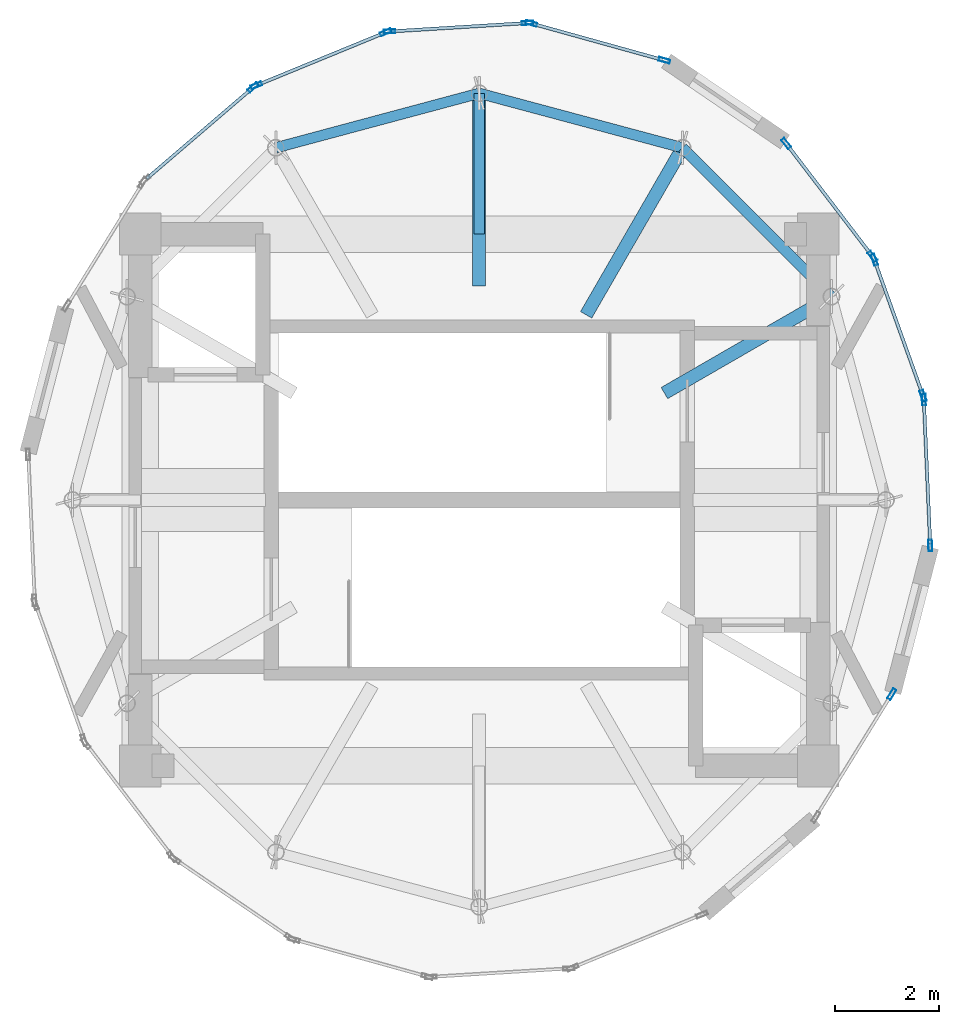
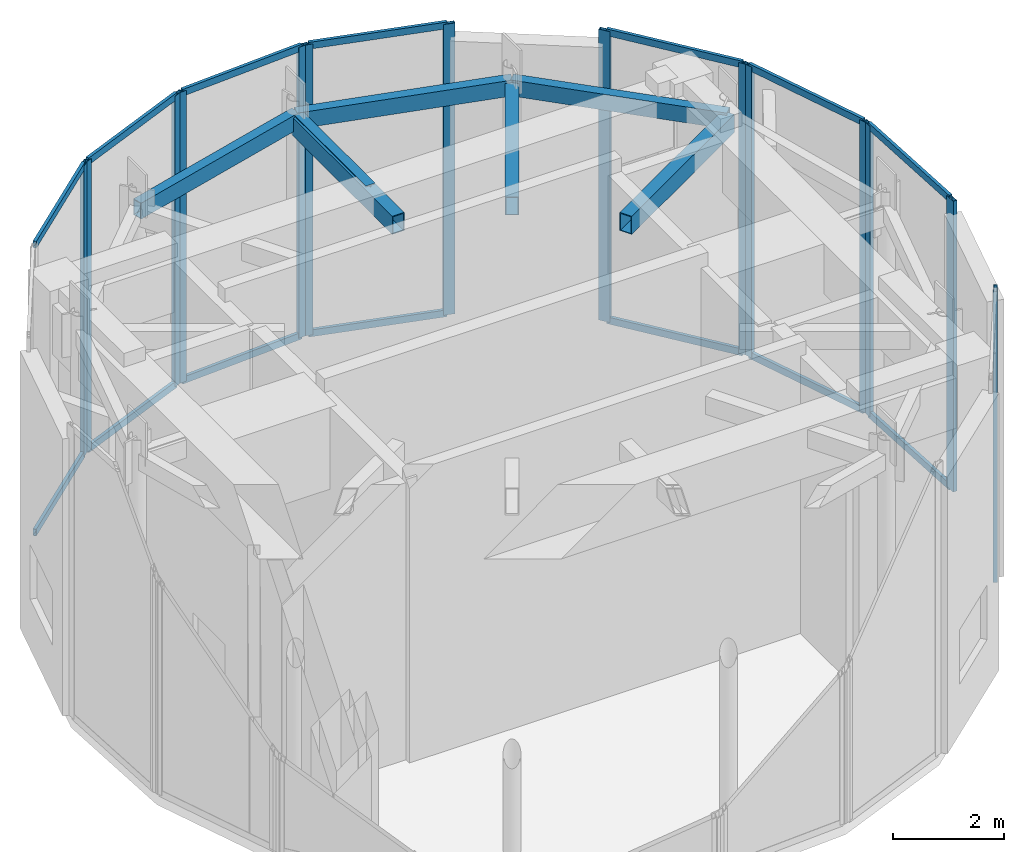
# One storey, part 4 of 7: 31 members, 4 beams, 8 elements without a shape of their own.
"""IFC4 building model written with IfcOpenShell, lengths in metres."""

import ifcopenshell
import ifcopenshell.guid

model = None  # the IFC model being written
_history = None  # IfcOwnerHistory: only IFC2X3 demands one
_inside = {}  # id of a spatial element -> (the spatial element, [elements in it])
_under = {}  # id of a project, library or spatial element -> (it, [spatial elements below it])
_declared = {}  # id of a project -> (the project, [libraries it declares])
_typed = {}  # id of a type object -> (the type object, [elements of that type])
_made_of = {}  # id of a material, layer set ... -> (it, [elements and type objects made of it])


def new_model(schema):
    """Start an empty IFC model of exactly this schema.

    Asked for "IFC4X3", IfcOpenShell would pick the latest addendum, in which some entities
    have other attributes; the version numbers below select the first issue.
    IFC2X3 requires an IfcOwnerHistory on every rooted entity: one is made here for all.
    """
    global model, _history
    if schema == "IFC4X3":
        model = ifcopenshell.file(schema_version=(4, 3, 0, 0))
    else:
        model = ifcopenshell.file(schema=schema)
    _inside.clear()
    _under.clear()
    _declared.clear()
    _typed.clear()
    _made_of.clear()
    _history = None
    if model.schema == "IFC2X3":
        org = make("IfcOrganization", Name="unknown")
        user = make(
            "IfcPersonAndOrganization",
            ThePerson=make("IfcPerson", FamilyName="unknown"),
            TheOrganization=org,
        )
        app = make(
            "IfcApplication",
            ApplicationDeveloper=org,
            Version="unknown",
            ApplicationFullName="unknown",
            ApplicationIdentifier="unknown",
        )
        _history = make(
            "IfcOwnerHistory",
            OwningUser=user,
            OwningApplication=app,
            ChangeAction="ADDED",
            CreationDate=0,
        )
    return model


def make(cls, **values):
    """One entity of the class cls with the attributes given. An attribute that is None is left unset."""
    return model.create_entity(
        cls, **{name: value for name, value in values.items() if value is not None}
    )


def rooted(cls, **values):
    """An entity with a GlobalId (a new one), such as an element, a storey or a relation."""
    return make(cls, GlobalId=ifcopenshell.guid.new(), OwnerHistory=_history, **values)


def si_unit(unit_type, name, prefix=None):
    """IfcSIUnit, for example si_unit("LENGTHUNIT", "METRE", prefix="MILLI")."""
    return make("IfcSIUnit", UnitType=unit_type, Prefix=prefix, Name=name)


def assignment(units):
    """IfcUnitAssignment: the units of a project."""
    return None if units is None else make("IfcUnitAssignment", Units=units)


def point(xyz):
    """IfcCartesianPoint."""
    return None if xyz is None else make("IfcCartesianPoint", Coordinates=xyz)


def direction(xyz):
    """IfcDirection."""
    return None if xyz is None else make("IfcDirection", DirectionRatios=xyz)


def frame(location, z_axis=None, x_axis=None):
    """IfcAxis2Placement3D, a coordinate frame: its origin and axes. An axis left out is left unset."""
    return make(
        "IfcAxis2Placement3D",
        Location=point(location),
        Axis=direction(z_axis),
        RefDirection=direction(x_axis),
    )


def frame_2d(location, x_axis=None):
    """IfcAxis2Placement2D, a coordinate frame in the plane: its origin and x axis."""
    return make(
        "IfcAxis2Placement2D", Location=point(location), RefDirection=direction(x_axis)
    )


def origin():
    """The frame at (0, 0, 0) with its axes left unset."""
    return frame((0.0, 0.0, 0.0))


def origin_2d():
    """The frame at (0, 0) in the plane with its x axis left unset."""
    return frame_2d((0.0, 0.0))


def place(relative_to, where):
    """IfcLocalPlacement: puts the frame where relative to a parent placement (None: the world)."""
    return make(
        "IfcLocalPlacement", PlacementRelTo=relative_to, RelativePlacement=where
    )


def context(
    kind, dimensions, precision=None, world=None, true_north=None, identifier=None
):
    """IfcGeometricRepresentationContext, for example the 3D "Model" context."""
    return make(
        "IfcGeometricRepresentationContext",
        ContextIdentifier=identifier,
        ContextType=kind,
        CoordinateSpaceDimension=dimensions,
        Precision=precision,
        WorldCoordinateSystem=world,
        TrueNorth=true_north,
    )


def subcontext(parent, identifier, kind, view, scale=None):
    """IfcGeometricRepresentationSubContext, for example "Body" below "Model"."""
    return make(
        "IfcGeometricRepresentationSubContext",
        ContextIdentifier=identifier,
        ContextType=kind,
        ParentContext=parent,
        TargetScale=scale,
        TargetView=view,
    )


def project(units=None, contexts=None):
    """IfcProject with its units and contexts."""
    return rooted(
        "IfcProject",
        Name="project",
        RepresentationContexts=contexts,
        UnitsInContext=assignment(units),
    )


def spatial(cls, under=None, at=None, **own):
    """A site, building, storey or space (cls), placed at a placement, below another one or the project."""
    s = rooted(cls, ObjectPlacement=at, **own)
    if under is not None:
        _under.setdefault(under.id(), (under, []))[1].append(s)
    return s


def profile(cls, at=None, kind="AREA", **sizes):
    """A parametric profile (cls). Its sizes go by their IFC names, for example OverallWidth=200.0."""
    return make(cls, ProfileType=kind, Position=at, **sizes)


def hollow_rectangle(**sizes):
    """IfcRectangleHollowProfileDef."""
    return profile("IfcRectangleHollowProfileDef", **sizes)


def i_section(**sizes):
    """IfcIShapeProfileDef."""
    return profile("IfcIShapeProfileDef", **sizes)


def extrude(swept, where, along, depth):
    """IfcExtrudedAreaSolid: the profile swept, set in the frame where, extruded along a direction by depth."""
    return make(
        "IfcExtrudedAreaSolid",
        SweptArea=swept,
        Position=where,
        ExtrudedDirection=direction(along),
        Depth=depth,
    )


def shape(context_of_items, identifier, shape_type, items):
    """IfcShapeRepresentation: the items that make up one representation, for example the "Body"."""
    return make(
        "IfcShapeRepresentation",
        ContextOfItems=context_of_items,
        RepresentationIdentifier=identifier,
        RepresentationType=shape_type,
        Items=items,
    )


def source(mapping_origin, context_of_items, identifier, shape_type, items):
    """IfcRepresentationMap: a shape defined once, which mapped items show again and again."""
    return make(
        "IfcRepresentationMap",
        MappingOrigin=mapping_origin,
        MappedRepresentation=shape(context_of_items, identifier, shape_type, items),
    )


def transform(
    local_origin,
    x_axis=None,
    y_axis=None,
    z_axis=None,
    scale=None,
    scale2=None,
    scale3=None,
    uniform=True,
):
    """IfcCartesianTransformationOperator3D, or its non-uniform kind. x_axis, y_axis, z_axis: its Axis1, 2, 3."""
    if uniform:
        return make(
            "IfcCartesianTransformationOperator3D",
            Axis1=direction(x_axis),
            Axis2=direction(y_axis),
            LocalOrigin=point(local_origin),
            Scale=scale,
            Axis3=direction(z_axis),
        )
    return make(
        "IfcCartesianTransformationOperator3DnonUniform",
        Axis1=direction(x_axis),
        Axis2=direction(y_axis),
        LocalOrigin=point(local_origin),
        Scale=scale,
        Axis3=direction(z_axis),
        Scale2=scale2,
        Scale3=scale3,
    )


def mapped(mapping_source, mapping_target):
    """IfcMappedItem: shows the shape of a source again, moved by a transform."""
    return make(
        "IfcMappedItem", MappingSource=mapping_source, MappingTarget=mapping_target
    )


def material(Name=None, Category=None):
    """IfcMaterial."""
    return make("IfcMaterial", Name=Name, Category=Category)


def layer(
    of_material, thickness, ventilated=None, Name=None, Category=None, Priority=None
):
    """IfcMaterialLayer: one layer of a wall or slab, of a material (None: an air gap)."""
    return make(
        "IfcMaterialLayer",
        Material=of_material,
        LayerThickness=thickness,
        IsVentilated=ventilated,
        Name=Name,
        Category=Category,
        Priority=Priority,
    )


def layer_set(layers, Name=None):
    """IfcMaterialLayerSet."""
    return make("IfcMaterialLayerSet", MaterialLayers=layers, LayerSetName=Name)


def material_profile(
    of_material, cross_section, Name=None, Category=None, Priority=None
):
    """IfcMaterialProfile: a cross section and its material."""
    return make(
        "IfcMaterialProfile",
        Name=Name,
        Material=of_material,
        Profile=cross_section,
        Priority=Priority,
        Category=Category,
    )


def profile_set(profiles, Name=None, composite=None):
    """IfcMaterialProfileSet."""
    return make(
        "IfcMaterialProfileSet",
        Name=Name,
        MaterialProfiles=profiles,
        CompositeProfile=composite,
    )


def made_of(thing, what):
    """Note that an element or type object is made of a material, layer set ...; save() writes the relation."""
    if what is not None:
        _made_of.setdefault(what.id(), (what, []))[1].append(thing)
    return thing


def type_object(cls, material=None, **own):
    """A type object (cls), such as IfcWallType, which elements share."""
    return made_of(rooted(cls, **own), material)


def element(
    cls,
    number,
    at=None,
    inside=None,
    cuts=None,
    type_object=None,
    material=None,
    context=None,
    identifier="Body",
    shape_type=None,
    held_by="IfcProductDefinitionShape",
    body=None,
    shapes=None,
    **own,
):
    """One element of the class cls, such as IfcWall. Its Tag is "e" and its number.

    at: its placement. inside: the storey or other place that contains it. cuts: it is an
    opening in that element (IfcRelVoidsElement). A single representation is given by context,
    identifier, shape_type and body (its items); several are given by shapes. held_by: the class
    of the entity that holds the representations. save() writes the other relations.
    """
    e = rooted(cls, Tag="e%d" % number, ObjectPlacement=at, **own)
    if body is not None:
        shapes = [shape(context, identifier, shape_type, body)]
    if shapes is not None:
        e.Representation = make(held_by, Representations=shapes)
    if inside is not None:
        _inside.setdefault(inside.id(), (inside, []))[1].append(e)
    if cuts is not None:
        rooted(
            "IfcRelVoidsElement", RelatingBuildingElement=cuts, RelatedOpeningElement=e
        )
    if type_object is not None:
        _typed.setdefault(type_object.id(), (type_object, []))[1].append(e)
    return made_of(e, material)


def aggregate(whole, parts):
    """IfcRelAggregates: a whole, such as a stair, and the parts it consists of."""
    return rooted("IfcRelAggregates", RelatingObject=whole, RelatedObjects=parts)


def save(model, path):
    """Write the relations noted so far, then the file.

    IfcRelAggregates (storeys below a building ...), IfcRelContainedInSpatialStructure (elements
    in a storey), IfcRelDefinesByType, IfcRelAssociatesMaterial and IfcRelDeclares: one each for
    every whole, place, type object, material and project.
    """
    for whole, parts in _under.values():
        aggregate(whole, parts)
    for where, things in _inside.values():
        rooted(
            "IfcRelContainedInSpatialStructure",
            RelatedElements=things,
            RelatingStructure=where,
        )
    for kind, things in _typed.values():
        rooted("IfcRelDefinesByType", RelatedObjects=things, RelatingType=kind)
    for what, things in _made_of.values():
        rooted("IfcRelAssociatesMaterial", RelatedObjects=things, RelatingMaterial=what)
    for by, libraries in _declared.values():
        rooted("IfcRelDeclares", RelatingContext=by, RelatedDefinitions=libraries)
    model.write(path)


model = new_model("IFC4")

# Units and contexts
model_context = context("Model", 3, precision=1e-05, world=origin(), true_north=direction((0.0, 1.0)))
body_context = subcontext(model_context, "Body", "Model", "MODEL_VIEW")
ifc_project = project(units=[si_unit("LENGTHUNIT", "METRE"), si_unit("AREAUNIT", "SQUARE_METRE"), si_unit("VOLUMEUNIT", "CUBIC_METRE"), si_unit("PLANEANGLEUNIT", "RADIAN"), si_unit("MASSUNIT", "GRAM", prefix="KILO")], contexts=[model_context])

# Site, building, storey
site_placement = place(None, origin())
site = spatial("IfcSite", under=ifc_project, at=site_placement, CompositionType="ELEMENT")
building_placement = place(site_placement, origin())
building = spatial("IfcBuilding", under=site, at=building_placement, Name="Solvirekh Grand Hotel", CompositionType="ELEMENT")
storey_placement = place(building_placement, frame((0.0, 0.0, 333.800048828125)))
storey = spatial("IfcBuildingStorey", under=building, at=storey_placement, Name="L83", CompositionType="ELEMENT", Elevation=333.800048828125)

# Beam
ifc_material_1 = material(Name="Steel S355", Category="steel")
ifc_material_profile_1 = material_profile(ifc_material_1, i_section(OverallWidth=0.194091796875, OverallDepth=0.468994140625, WebThickness=0.010986328125, FlangeThickness=0.01904296875, FilletRadius=0.012939453125, at=origin_2d()), Name="W460X106")
ifc_profile_set_1 = profile_set([ifc_material_profile_1], Name="Steel S355")
beam_type_1 = type_object("IfcBeamType", Name="Beam_Radial_W460H", PredefinedType="BEAM", material=ifc_profile_set_1)
beam_placement = place(storey_placement, frame((0.0, 5.10009765625, 5.864990234375), z_axis=(0.0, 1.0, 0.0), x_axis=(-1.0, 0.0, 0.0)))
element("IfcBeam", 1, at=beam_placement, inside=storey, type_object=beam_type_1, Name="L83 radial floor beam R04", PredefinedType="BEAM", context=body_context, shape_type="SweptSolid", body=[
    extrude(i_section(OverallWidth=0.194091796875, OverallDepth=0.468994140625, WebThickness=0.010986328125, FlangeThickness=0.01904296875, FilletRadius=0.012939453125, at=origin_2d()), origin(), (0.0, 0.0, 1.0), 2.699951171875),
])

# Members
ifc_material_profile_2 = material_profile(ifc_material_1, hollow_rectangle(XDim=0.25, YDim=0.39990234375, WallThickness=0.01611328125, at=origin_2d()), Name="RHS 400X250X16")
ifc_profile_set_2 = profile_set([ifc_material_profile_2], Name="Steel S355")
member_type_1 = type_object("IfcMemberType", Name="Rafter_Crown_RHS400", PredefinedType="RAFTER", material=ifc_profile_set_2)
for number, where, z_axis, x_axis, name in (
    (2, (6.7548828125, 3.89990234375, 5.849853515625), (-0.86601304703, -0.500021401916, 0.0), (0.500021401916, -0.86601304703, 0.0), "Crown collar rafter 2"),
    (3, (3.89990234375, 6.7548828125, 5.849853515625), (-0.500021401916, -0.86601304703, 0.0), (0.86601304703, -0.500021401916, 0.0), "Crown collar rafter 3"),
):
    element("IfcMember", number, at=place(storey_placement, frame(where, z_axis=z_axis, x_axis=x_axis)), inside=storey, type_object=member_type_1, Name=name, PredefinedType="RAFTER", context=body_context, shape_type="SweptSolid", body=[
        extrude(hollow_rectangle(XDim=0.25, YDim=0.39990234375, WallThickness=0.01611328125, at=origin_2d()), origin(), (0.0, 0.0, 1.0), 3.699462890625),
    ])
member_1_placement = place(storey_placement, frame((0.0, 7.800048828125, 5.849853515625), z_axis=(0.0, -1.0, 0.0), x_axis=(1.0, 0.0, 0.0)))
element("IfcMember", 4, at=member_1_placement, inside=storey, type_object=member_type_1, Name="Crown collar rafter 4", PredefinedType="RAFTER", context=body_context, shape_type="SweptSolid", body=[
    extrude(hollow_rectangle(XDim=0.25, YDim=0.39990234375, WallThickness=0.01611328125, at=origin_2d()), origin(), (0.0, 0.0, 1.0), 3.699951171875),
])

# Beams
ifc_material_profile_3 = material_profile(ifc_material_1, hollow_rectangle(XDim=0.199951171875, YDim=0.35009765625, WallThickness=0.013916015625, at=origin_2d()), Name="RHS 350X200X14")
ifc_profile_set_3 = profile_set([ifc_material_profile_3], Name="Steel S355")
beam_type_2 = type_object("IfcBeamType", Name="Spandrel_Crown_RHS350", PredefinedType="SPANDREL", material=ifc_profile_set_3)
for number, where, z_axis, x_axis, name in (
    (5, (6.7548828125, 3.89990234375, 5.925048828125), (-0.707106781187, 0.707106781187, 0.0), (-0.707106781187, -0.707106781187, 0.0), "L83 perimeter spandrel beam 2"),
    (6, (3.89990234375, 6.7548828125, 5.925048828125), (-0.965914040095, 0.258863027773, 0.0), (-0.258863027773, -0.965914040095, 0.0), "L83 perimeter spandrel beam 3"),
    (7, (0.0, 7.800048828125, 5.925048828125), (-0.965914040095, -0.258863027773, 0.0), (0.258863027773, -0.965914040095, 0.0), "L83 perimeter spandrel beam 4"),
):
    element("IfcBeam", number, at=place(storey_placement, frame(where, z_axis=z_axis, x_axis=x_axis)), inside=storey, type_object=beam_type_2, Name=name, PredefinedType="SPANDREL", context=body_context, shape_type="SweptSolid", body=[
        extrude(hollow_rectangle(XDim=0.199951171875, YDim=0.35009765625, WallThickness=0.013916015625, at=origin_2d()), origin(), (0.0, 0.0, 1.0), 4.03759765625),
    ])

# Curtain wall, member
ifc_material_2 = material(Name="Anodized Bronze Aluminium 6063-T6", Category="aluminium")
ifc_layer = layer(ifc_material_2, 0.219970703125)
ifc_layer_set = layer_set([ifc_layer], Name="Anodized Bronze Aluminium 6063-T6")
curtain_wall_type = type_object("IfcCurtainWallType", Name="CW_Sys6_CrownFacetedPointCW", PredefinedType="NOTDEFINED", material=ifc_layer_set)
curtain_wall_1_placement = place(storey_placement, origin())
curtain_wall_1 = element("IfcCurtainWall", 8, at=curtain_wall_1_placement, inside=storey, type_object=curtain_wall_type, Name="L83 unitised bronze-glass curtain wall CW-L83-C04", PredefinedType="NOTDEFINED")
ifc_material_profile_4 = material_profile(ifc_material_2, hollow_rectangle(XDim=0.074951171875, YDim=0.219970703125, WallThickness=0.006103515625, at=origin_2d()), Name="ALU RHS 220X75X6")
ifc_profile_set_4 = profile_set([ifc_material_profile_4], Name="Anodized Bronze Aluminium 6063-T6")
member_type_2 = type_object("IfcMemberType", Name="CWMullion_Sys6", PredefinedType="MULLION", material=ifc_profile_set_4)
shared_shape_1 = source(origin(), body_context, "Body", "SweptSolid", [
    extrude(hollow_rectangle(XDim=0.074951171875, YDim=0.219970703125, WallThickness=0.006103515625, at=origin_2d()), origin(), (0.0, 0.0, 1.0), 6.39990234375),
])
member_2_placement = place(storey_placement, frame((7.912353515625, -3.723876953125, 0.0), z_axis=(0.0, 0.0, 1.0), x_axis=(-0.850631696106, 0.525762035125, 0.0)))
member_2 = element("IfcMember", 9, at=member_2_placement, type_object=member_type_2, Name="U06 mullion 2", PredefinedType="MULLION", context=body_context, shape_type="MappedRepresentation", body=[
    mapped(shared_shape_1, transform((0.0, 0.0, 0.0), x_axis=(1.0, 0.0, 0.0), y_axis=(0.0, 1.0, 0.0), z_axis=(0.0, 0.0, 1.0), scale=1.0)),
])
aggregate(curtain_wall_1, [member_2])

# Curtain wall, members
curtain_wall_2_placement = place(storey_placement, origin())
curtain_wall_2 = element("IfcCurtainWall", 10, at=curtain_wall_2_placement, inside=storey, type_object=curtain_wall_type, Name="L83 unitised bronze-glass curtain wall CW-L83-C06", PredefinedType="NOTDEFINED")
member_3_placement = place(storey_placement, frame((8.650390625, -0.87158203125, 0.0), z_axis=(0.0, 0.0, 1.0), x_axis=(-0.999038348092, -0.04384494318, 0.0)))
member_3 = element("IfcMember", 11, at=member_3_placement, type_object=member_type_2, Name="U06 mullion 1", PredefinedType="MULLION", context=body_context, shape_type="MappedRepresentation", body=[
    mapped(shared_shape_1, transform((0.0, 0.0, 0.0), x_axis=(1.0, 0.0, 0.0), y_axis=(0.0, 1.0, 0.0), z_axis=(0.0, 0.0, 1.0), scale=1.0)),
])
member_4_placement = place(storey_placement, frame((8.527587890625, 1.924560546875, 0.0), z_axis=(0.0, 0.0, 1.0), x_axis=(-0.999038348092, -0.04384494318, 0.0)))
member_4 = element("IfcMember", 12, at=member_4_placement, type_object=member_type_2, Name="U06 mullion 2", PredefinedType="MULLION", context=body_context, shape_type="MappedRepresentation", body=[
    mapped(shared_shape_1, transform((0.0, 0.0, 0.0), x_axis=(1.0, 0.0, 0.0), y_axis=(0.0, 1.0, 0.0), z_axis=(0.0, 0.0, 1.0), scale=1.0)),
])

curtain_wall_3_placement = place(storey_placement, origin())
curtain_wall_3 = element("IfcCurtainWall", 13, at=curtain_wall_3_placement, inside=storey, type_object=curtain_wall_type, Name="L83 unitised bronze-glass curtain wall CW-L83-C07", PredefinedType="NOTDEFINED")
member_5_placement = place(storey_placement, frame((8.513427734375, 1.997314453125, 0.0), z_axis=(0.0, 0.0, 1.0), x_axis=(-0.941312033475, -0.33753763588, 0.0)))
member_5 = element("IfcMember", 14, at=member_5_placement, type_object=member_type_2, Name="U06 mullion 1", PredefinedType="MULLION", context=body_context, shape_type="MappedRepresentation", body=[
    mapped(shared_shape_1, transform((0.0, 0.0, 0.0), x_axis=(1.0, 0.0, 0.0), y_axis=(0.0, 1.0, 0.0), z_axis=(0.0, 0.0, 1.0), scale=1.0)),
])
member_6_placement = place(storey_placement, frame((7.57763671875, 4.606689453125, 0.0), z_axis=(0.0, 0.0, 1.0), x_axis=(-0.941312033475, -0.33753763588, 0.0)))
member_6 = element("IfcMember", 15, at=member_6_placement, type_object=member_type_2, Name="U06 mullion 2", PredefinedType="MULLION", context=body_context, shape_type="MappedRepresentation", body=[
    mapped(shared_shape_1, transform((0.0, 0.0, 0.0), x_axis=(1.0, 0.0, 0.0), y_axis=(0.0, 1.0, 0.0), z_axis=(0.0, 0.0, 1.0), scale=1.0)),
])

curtain_wall_4_placement = place(storey_placement, origin())
curtain_wall_4 = element("IfcCurtainWall", 16, at=curtain_wall_4_placement, inside=storey, type_object=curtain_wall_type, Name="L83 unitised bronze-glass curtain wall CW-L83-C08", PredefinedType="NOTDEFINED")
member_7_placement = place(storey_placement, frame((7.542236328125, 4.671875, 0.0), z_axis=(0.0, 0.0, 1.0), x_axis=(-0.794570551349, -0.607171836409, 0.0)))
member_7 = element("IfcMember", 17, at=member_7_placement, type_object=member_type_2, Name="U06 mullion 1", PredefinedType="MULLION", context=body_context, shape_type="MappedRepresentation", body=[
    mapped(shared_shape_1, transform((0.0, 0.0, 0.0), x_axis=(1.0, 0.0, 0.0), y_axis=(0.0, 1.0, 0.0), z_axis=(0.0, 0.0, 1.0), scale=1.0)),
])
member_8_placement = place(storey_placement, frame((5.88671875, 6.838134765625, 0.0), z_axis=(0.0, 0.0, 1.0), x_axis=(-0.794570551349, -0.607171836409, 0.0)))
member_8 = element("IfcMember", 18, at=member_8_placement, type_object=member_type_2, Name="U06 mullion 2", PredefinedType="MULLION", context=body_context, shape_type="MappedRepresentation", body=[
    mapped(shared_shape_1, transform((0.0, 0.0, 0.0), x_axis=(1.0, 0.0, 0.0), y_axis=(0.0, 1.0, 0.0), z_axis=(0.0, 0.0, 1.0), scale=1.0)),
])

curtain_wall_5_placement = place(storey_placement, origin())
curtain_wall_5 = element("IfcCurtainWall", 19, at=curtain_wall_5_placement, inside=storey, type_object=curtain_wall_type, Name="L83 unitised bronze-glass curtain wall CW-L83-C10", PredefinedType="NOTDEFINED")
member_9_placement = place(storey_placement, frame((3.5517578125, 8.43115234375, 0.0), z_axis=(0.0, 0.0, 1.0), x_axis=(-0.267492462158, -0.963559952825, 0.0)))
member_9 = element("IfcMember", 20, at=member_9_placement, type_object=member_type_2, Name="U06 mullion 1", PredefinedType="MULLION", context=body_context, shape_type="MappedRepresentation", body=[
    mapped(shared_shape_1, transform((0.0, 0.0, 0.0), x_axis=(1.0, 0.0, 0.0), y_axis=(0.0, 1.0, 0.0), z_axis=(0.0, 0.0, 1.0), scale=1.0)),
])
member_10_placement = place(storey_placement, frame((0.998046875, 9.139892578125, 0.0), z_axis=(0.0, 0.0, 1.0), x_axis=(-0.267492462158, -0.963559952825, 0.0)))
member_10 = element("IfcMember", 21, at=member_10_placement, type_object=member_type_2, Name="U06 mullion 2", PredefinedType="MULLION", context=body_context, shape_type="MappedRepresentation", body=[
    mapped(shared_shape_1, transform((0.0, 0.0, 0.0), x_axis=(1.0, 0.0, 0.0), y_axis=(0.0, 1.0, 0.0), z_axis=(0.0, 0.0, 1.0), scale=1.0)),
])

curtain_wall_6_placement = place(storey_placement, origin())
curtain_wall_6 = element("IfcCurtainWall", 22, at=curtain_wall_6_placement, inside=storey, type_object=curtain_wall_type, Name="L83 unitised bronze-glass curtain wall CW-L83-C11", PredefinedType="NOTDEFINED")
member_11_placement = place(storey_placement, frame((0.924560546875, 9.147705078125, 0.0), z_axis=(0.0, 0.0, 1.0), x_axis=(0.061259226607, -0.998121889929, 0.0)))
member_11 = element("IfcMember", 23, at=member_11_placement, type_object=member_type_2, Name="U06 mullion 1", PredefinedType="MULLION", context=body_context, shape_type="MappedRepresentation", body=[
    mapped(shared_shape_1, transform((0.0, 0.0, 0.0), x_axis=(1.0, 0.0, 0.0), y_axis=(0.0, 1.0, 0.0), z_axis=(0.0, 0.0, 1.0), scale=1.0)),
])
member_12_placement = place(storey_placement, frame((-1.7216796875, 8.9853515625, 0.0), z_axis=(0.0, 0.0, 1.0), x_axis=(0.061259226607, -0.998121889929, 0.0)))
member_12 = element("IfcMember", 24, at=member_12_placement, type_object=member_type_2, Name="U06 mullion 2", PredefinedType="MULLION", context=body_context, shape_type="MappedRepresentation", body=[
    mapped(shared_shape_1, transform((0.0, 0.0, 0.0), x_axis=(1.0, 0.0, 0.0), y_axis=(0.0, 1.0, 0.0), z_axis=(0.0, 0.0, 1.0), scale=1.0)),
])

curtain_wall_7_placement = place(storey_placement, origin())
curtain_wall_7 = element("IfcCurtainWall", 25, at=curtain_wall_7_placement, inside=storey, type_object=curtain_wall_type, Name="L83 unitised bronze-glass curtain wall CW-L83-C12", PredefinedType="NOTDEFINED")
member_13_placement = place(storey_placement, frame((-1.793701171875, 8.96875, 0.0), z_axis=(0.0, 0.0, 1.0), x_axis=(0.379636009824, -0.925135935982, 0.0)))
member_13 = element("IfcMember", 26, at=member_13_placement, type_object=member_type_2, Name="U06 mullion 1", PredefinedType="MULLION", context=body_context, shape_type="MappedRepresentation", body=[
    mapped(shared_shape_1, transform((0.0, 0.0, 0.0), x_axis=(1.0, 0.0, 0.0), y_axis=(0.0, 1.0, 0.0), z_axis=(0.0, 0.0, 1.0), scale=1.0)),
])
member_14_placement = place(storey_placement, frame((-4.273193359375, 7.951171875, 0.0), z_axis=(0.0, 0.0, 1.0), x_axis=(0.379636009824, -0.925135935982, 0.0)))
member_14 = element("IfcMember", 27, at=member_14_placement, type_object=member_type_2, Name="U06 mullion 2", PredefinedType="MULLION", context=body_context, shape_type="MappedRepresentation", body=[
    mapped(shared_shape_1, transform((0.0, 0.0, 0.0), x_axis=(1.0, 0.0, 0.0), y_axis=(0.0, 1.0, 0.0), z_axis=(0.0, 0.0, 1.0), scale=1.0)),
])

# Curtain wall, member
curtain_wall_8_placement = place(storey_placement, origin())
curtain_wall_8 = element("IfcCurtainWall", 28, at=curtain_wall_8_placement, inside=storey, type_object=curtain_wall_type, Name="L83 unitised bronze-glass curtain wall CW-L83-C13", PredefinedType="NOTDEFINED")
member_15_placement = place(storey_placement, frame((-4.33642578125, 7.91259765625, 0.0), z_axis=(0.0, 0.0, 1.0), x_axis=(0.650761975183, -0.759281799898, 0.0)))
member_15 = element("IfcMember", 29, at=member_15_placement, type_object=member_type_2, Name="U06 mullion 1", PredefinedType="MULLION", context=body_context, shape_type="MappedRepresentation", body=[
    mapped(shared_shape_1, transform((0.0, 0.0, 0.0), x_axis=(1.0, 0.0, 0.0), y_axis=(0.0, 1.0, 0.0), z_axis=(0.0, 0.0, 1.0), scale=1.0)),
])

# Member
ifc_material_profile_5 = material_profile(ifc_material_2, hollow_rectangle(XDim=0.06494140625, YDim=0.14990234375, WallThickness=0.0048828125, at=origin_2d()), Name="ALU RHS 150X65X5")
ifc_profile_set_5 = profile_set([ifc_material_profile_5], Name="Anodized Bronze Aluminium 6063-T6")
member_type_3 = type_object("IfcMemberType", Name="CWTransom_Sys6", PredefinedType="USERDEFINED", material=ifc_profile_set_5)
shared_shape_2 = source(origin(), body_context, "Body", "SweptSolid", [
    extrude(hollow_rectangle(XDim=0.06494140625, YDim=0.14990234375, WallThickness=0.0048828125, at=origin_2d()), origin(), (0.0, 0.0, 1.0), 2.576171875),
])
member_16_placement = place(storey_placement, frame((0.88720703125, 9.1455078125, 0.032470703125), z_axis=(-0.99811838937, -0.061316236035, 0.0), x_axis=(0.061316236035, -0.99811838937, 0.0)))
member_16 = element("IfcMember", 30, at=member_16_placement, type_object=member_type_3, Name="U06 transom 1.1", ObjectType="TRANSOM", PredefinedType="USERDEFINED", context=body_context, shape_type="MappedRepresentation", body=[
    mapped(shared_shape_2, transform((0.0, 0.0, 0.0), x_axis=(1.0, 0.0, 0.0), y_axis=(0.0, 1.0, 0.0), z_axis=(0.0, 0.0, 1.0), scale=1.0)),
])

member_17_placement = place(storey_placement, frame((0.88720703125, 9.1455078125, 6.367431640625), z_axis=(-0.99811838937, -0.061316236035, 0.0), x_axis=(0.061316236035, -0.99811838937, 0.0)))
member_17 = element("IfcMember", 31, at=member_17_placement, type_object=member_type_3, Name="U06 transom 1.2", ObjectType="TRANSOM", PredefinedType="USERDEFINED", context=body_context, shape_type="MappedRepresentation", body=[
    mapped(shared_shape_2, transform((0.0, 0.0, 0.0), x_axis=(1.0, 0.0, 0.0), y_axis=(0.0, 1.0, 0.0), z_axis=(0.0, 0.0, 1.0), scale=1.0)),
])

aggregate(curtain_wall_6, [member_11, member_12, member_16, member_17])

shared_shape_3 = source(origin(), body_context, "Body", "SweptSolid", [
    extrude(hollow_rectangle(XDim=0.06494140625, YDim=0.14990234375, WallThickness=0.0048828125, at=origin_2d()), origin(), (0.0, 0.0, 1.0), 2.605224609375),
])
member_18_placement = place(storey_placement, frame((-1.828369140625, 8.95458984375, 0.032470703125), z_axis=(-0.925137395067, -0.379632454155, 0.0), x_axis=(0.379632454155, -0.925137395067, 0.0)))
member_18 = element("IfcMember", 32, at=member_18_placement, type_object=member_type_3, Name="U06 transom 1.1", ObjectType="TRANSOM", PredefinedType="USERDEFINED", context=body_context, shape_type="MappedRepresentation", body=[
    mapped(shared_shape_3, transform((0.0, 0.0, 0.0), x_axis=(1.0, 0.0, 0.0), y_axis=(0.0, 1.0, 0.0), z_axis=(0.0, 0.0, 1.0), scale=1.0)),
])

member_19_placement = place(storey_placement, frame((-1.828369140625, 8.95458984375, 6.367431640625), z_axis=(-0.925137395067, -0.379632454155, 0.0), x_axis=(0.379632454155, -0.925137395067, 0.0)))
member_19 = element("IfcMember", 33, at=member_19_placement, type_object=member_type_3, Name="U06 transom 1.2", ObjectType="TRANSOM", PredefinedType="USERDEFINED", context=body_context, shape_type="MappedRepresentation", body=[
    mapped(shared_shape_3, transform((0.0, 0.0, 0.0), x_axis=(1.0, 0.0, 0.0), y_axis=(0.0, 1.0, 0.0), z_axis=(0.0, 0.0, 1.0), scale=1.0)),
])

aggregate(curtain_wall_7, [member_13, member_14, member_18, member_19])

shared_shape_4 = source(origin(), body_context, "Body", "SweptSolid", [
    extrude(hollow_rectangle(XDim=0.06494140625, YDim=0.14990234375, WallThickness=0.0048828125, at=origin_2d()), origin(), (0.0, 0.0, 1.0), 2.7236328125),
])
member_20_placement = place(storey_placement, frame((8.648681640625, -0.833984375, 0.032470703125), z_axis=(-0.043834005108, 0.999038828072, 0.0), x_axis=(-0.999038828072, -0.043834005108, 0.0)))
member_20 = element("IfcMember", 34, at=member_20_placement, type_object=member_type_3, Name="U06 transom 1.1", ObjectType="TRANSOM", PredefinedType="USERDEFINED", context=body_context, shape_type="MappedRepresentation", body=[
    mapped(shared_shape_4, transform((0.0, 0.0, 0.0), x_axis=(1.0, 0.0, 0.0), y_axis=(0.0, 1.0, 0.0), z_axis=(0.0, 0.0, 1.0), scale=1.0)),
])

member_21_placement = place(storey_placement, frame((8.648681640625, -0.833984375, 6.367431640625), z_axis=(-0.043834005108, 0.999038828072, 0.0), x_axis=(-0.999038828072, -0.043834005108, 0.0)))
member_21 = element("IfcMember", 35, at=member_21_placement, type_object=member_type_3, Name="U06 transom 1.2", ObjectType="TRANSOM", PredefinedType="USERDEFINED", context=body_context, shape_type="MappedRepresentation", body=[
    mapped(shared_shape_4, transform((0.0, 0.0, 0.0), x_axis=(1.0, 0.0, 0.0), y_axis=(0.0, 1.0, 0.0), z_axis=(0.0, 0.0, 1.0), scale=1.0)),
])

aggregate(curtain_wall_2, [member_3, member_4, member_20, member_21])

shared_shape_5 = source(origin(), body_context, "Body", "SweptSolid", [
    extrude(hollow_rectangle(XDim=0.06494140625, YDim=0.14990234375, WallThickness=0.0048828125, at=origin_2d()), origin(), (0.0, 0.0, 1.0), 2.69677734375),
])
member_22_placement = place(storey_placement, frame((8.500732421875, 2.03271484375, 0.032470703125), z_axis=(-0.337574808968, 0.941298703043, 0.0), x_axis=(-0.941298703043, -0.337574808968, 0.0)))
member_22 = element("IfcMember", 36, at=member_22_placement, type_object=member_type_3, Name="U06 transom 1.1", ObjectType="TRANSOM", PredefinedType="USERDEFINED", context=body_context, shape_type="MappedRepresentation", body=[
    mapped(shared_shape_5, transform((0.0, 0.0, 0.0), x_axis=(1.0, 0.0, 0.0), y_axis=(0.0, 1.0, 0.0), z_axis=(0.0, 0.0, 1.0), scale=1.0)),
])

member_23_placement = place(storey_placement, frame((8.500732421875, 2.03271484375, 6.367431640625), z_axis=(-0.337574808968, 0.941298703043, 0.0), x_axis=(-0.941298703043, -0.337574808968, 0.0)))
member_23 = element("IfcMember", 37, at=member_23_placement, type_object=member_type_3, Name="U06 transom 1.2", ObjectType="TRANSOM", PredefinedType="USERDEFINED", context=body_context, shape_type="MappedRepresentation", body=[
    mapped(shared_shape_5, transform((0.0, 0.0, 0.0), x_axis=(1.0, 0.0, 0.0), y_axis=(0.0, 1.0, 0.0), z_axis=(0.0, 0.0, 1.0), scale=1.0)),
])

aggregate(curtain_wall_3, [member_5, member_6, member_22, member_23])

shared_shape_6 = source(origin(), body_context, "Body", "SweptSolid", [
    extrude(hollow_rectangle(XDim=0.06494140625, YDim=0.14990234375, WallThickness=0.0048828125, at=origin_2d()), origin(), (0.0, 0.0, 1.0), 2.651611328125),
])
member_24_placement = place(storey_placement, frame((7.51953125, 4.70166015625, 0.032470703125), z_axis=(-0.607238191592, 0.794519841585, 0.0), x_axis=(-0.794519841585, -0.607238191592, 0.0)))
member_24 = element("IfcMember", 38, at=member_24_placement, type_object=member_type_3, Name="U06 transom 1.1", ObjectType="TRANSOM", PredefinedType="USERDEFINED", context=body_context, shape_type="MappedRepresentation", body=[
    mapped(shared_shape_6, transform((0.0, 0.0, 0.0), x_axis=(1.0, 0.0, 0.0), y_axis=(0.0, 1.0, 0.0), z_axis=(0.0, 0.0, 1.0), scale=1.0)),
])

member_25_placement = place(storey_placement, frame((7.51953125, 4.70166015625, 6.367431640625), z_axis=(-0.607238191592, 0.794519841585, 0.0), x_axis=(-0.794519841585, -0.607238191592, 0.0)))
member_25 = element("IfcMember", 39, at=member_25_placement, type_object=member_type_3, Name="U06 transom 1.2", ObjectType="TRANSOM", PredefinedType="USERDEFINED", context=body_context, shape_type="MappedRepresentation", body=[
    mapped(shared_shape_6, transform((0.0, 0.0, 0.0), x_axis=(1.0, 0.0, 0.0), y_axis=(0.0, 1.0, 0.0), z_axis=(0.0, 0.0, 1.0), scale=1.0)),
])

aggregate(curtain_wall_4, [member_7, member_8, member_24, member_25])

shared_shape_7 = source(origin(), body_context, "Body", "SweptSolid", [
    extrude(hollow_rectangle(XDim=0.06494140625, YDim=0.14990234375, WallThickness=0.0048828125, at=origin_2d()), origin(), (0.0, 0.0, 1.0), 2.5751953125),
])
member_26_placement = place(storey_placement, frame((3.515625, 8.441162109375, 0.032470703125), z_axis=(-0.963574932367, 0.267438497069, 0.0), x_axis=(-0.267438497069, -0.963574932367, 0.0)))
member_26 = element("IfcMember", 40, at=member_26_placement, type_object=member_type_3, Name="U06 transom 1.1", ObjectType="TRANSOM", PredefinedType="USERDEFINED", context=body_context, shape_type="MappedRepresentation", body=[
    mapped(shared_shape_7, transform((0.0, 0.0, 0.0), x_axis=(1.0, 0.0, 0.0), y_axis=(0.0, 1.0, 0.0), z_axis=(0.0, 0.0, 1.0), scale=1.0)),
])

member_27_placement = place(storey_placement, frame((3.515625, 8.441162109375, 6.367431640625), z_axis=(-0.963574932367, 0.267438497069, 0.0), x_axis=(-0.267438497069, -0.963574932367, 0.0)))
member_27 = element("IfcMember", 41, at=member_27_placement, type_object=member_type_3, Name="U06 transom 1.2", ObjectType="TRANSOM", PredefinedType="USERDEFINED", context=body_context, shape_type="MappedRepresentation", body=[
    mapped(shared_shape_7, transform((0.0, 0.0, 0.0), x_axis=(1.0, 0.0, 0.0), y_axis=(0.0, 1.0, 0.0), z_axis=(0.0, 0.0, 1.0), scale=1.0)),
])

aggregate(curtain_wall_5, [member_9, member_10, member_26, member_27])

shared_shape_8 = source(origin(), body_context, "Body", "SweptSolid", [
    extrude(hollow_rectangle(XDim=0.06494140625, YDim=0.14990234375, WallThickness=0.0048828125, at=origin_2d()), origin(), (0.0, 0.0, 1.0), 2.6513671875),
])
member_28_placement = place(storey_placement, frame((-4.364990234375, 7.88818359375, 0.032470703125), z_axis=(-0.759302099487, -0.650738289725, 0.0), x_axis=(0.650738289725, -0.759302099487, 0.0)))
member_28 = element("IfcMember", 42, at=member_28_placement, type_object=member_type_3, Name="U06 transom 1.1", ObjectType="TRANSOM", PredefinedType="USERDEFINED", context=body_context, shape_type="MappedRepresentation", body=[
    mapped(shared_shape_8, transform((0.0, 0.0, 0.0), x_axis=(1.0, 0.0, 0.0), y_axis=(0.0, 1.0, 0.0), z_axis=(0.0, 0.0, 1.0), scale=1.0)),
])

member_29_placement = place(storey_placement, frame((-4.364990234375, 7.88818359375, 6.367431640625), z_axis=(-0.759302099487, -0.650738289725, 0.0), x_axis=(0.650738289725, -0.759302099487, 0.0)))
member_29 = element("IfcMember", 43, at=member_29_placement, type_object=member_type_3, Name="U06 transom 1.2", ObjectType="TRANSOM", PredefinedType="USERDEFINED", context=body_context, shape_type="MappedRepresentation", body=[
    mapped(shared_shape_8, transform((0.0, 0.0, 0.0), x_axis=(1.0, 0.0, 0.0), y_axis=(0.0, 1.0, 0.0), z_axis=(0.0, 0.0, 1.0), scale=1.0)),
])

aggregate(curtain_wall_8, [member_15, member_28, member_29])

save(model, "model.ifc")
